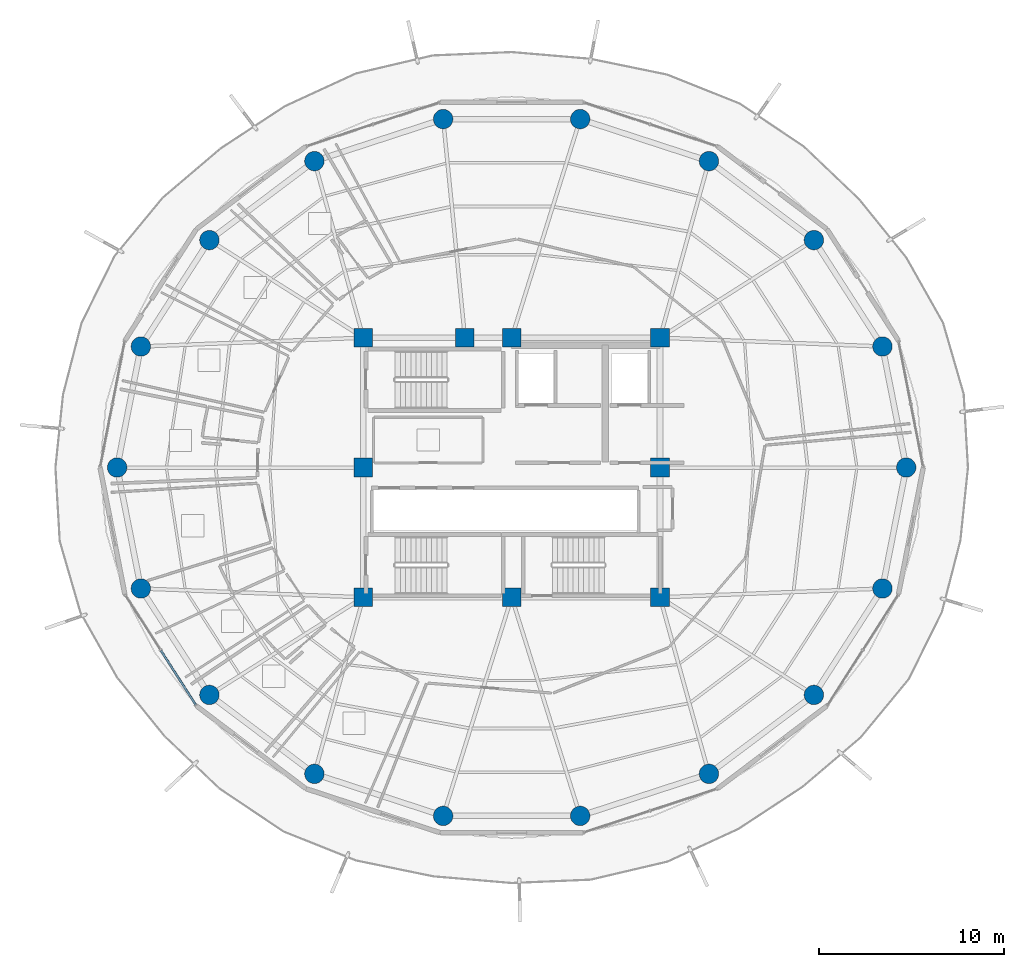
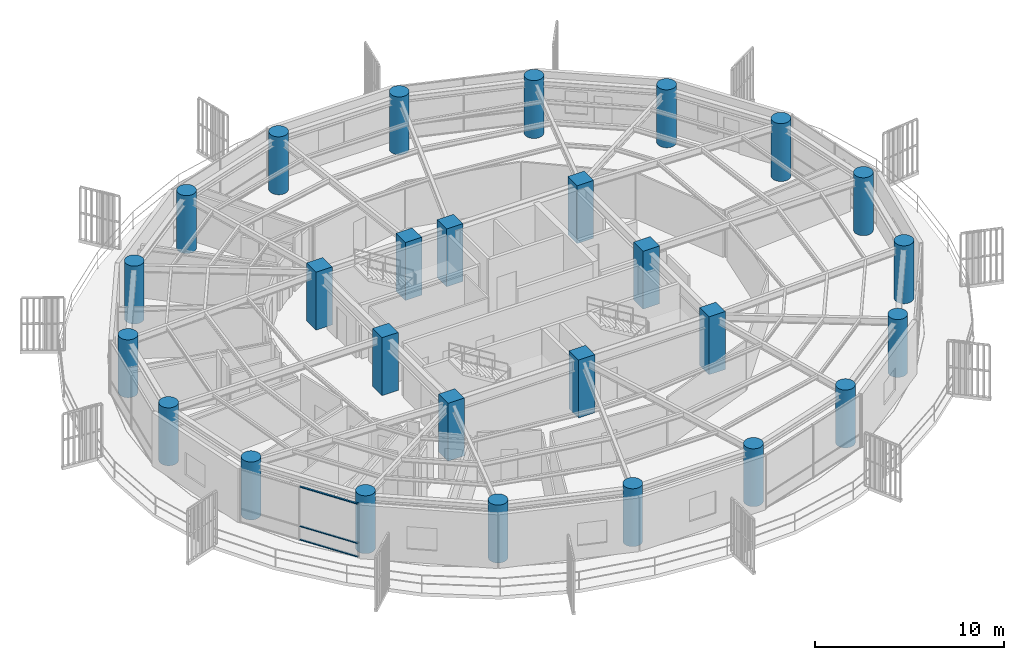
# One storey, part 1 of 30: 27 columns, 3 members, 1 element without a shape of its own.
"""IFC4 building model written with IfcOpenShell, lengths in metres."""

from ifc_helpers import new_model, si_unit, direction, frame, origin, origin_2d, place, context, subcontext, project, spatial, rectangle, hollow_rectangle, circle, extrude, material, layer, layer_set, material_profile, profile_set, type_object, element, aggregate, save


model = new_model("IFC4")

# Units and contexts
model_context = context("Model", 3, precision=1e-05, world=origin(), true_north=direction((0.0, 1.0)))
body_context = subcontext(model_context, "Body", "Model", "MODEL_VIEW")
ifc_project = project(units=[si_unit("LENGTHUNIT", "METRE"), si_unit("AREAUNIT", "SQUARE_METRE"), si_unit("VOLUMEUNIT", "CUBIC_METRE"), si_unit("PLANEANGLEUNIT", "RADIAN"), si_unit("MASSUNIT", "GRAM", prefix="KILO")], contexts=[model_context])

# Site, building, storey
site_placement = place(None, origin())
site = spatial("IfcSite", under=ifc_project, at=site_placement, CompositionType="ELEMENT")
building_placement = place(site_placement, origin())
building = spatial("IfcBuilding", under=site, at=building_placement, Name="Kelanora Arch Commons", CompositionType="ELEMENT")
storey_placement = place(building_placement, frame((0.0, 0.0, 234.449951171875)))
storey = spatial("IfcBuildingStorey", under=building, at=storey_placement, Name="L60", CompositionType="ELEMENT", Elevation=234.449951171875)

# Columns
ifc_material_1 = material(Name="Concrete C50/60", Category="concrete")
ifc_material_profile_1 = material_profile(ifc_material_1, circle(Radius=0.52490234375, at=origin_2d()), Name="RCC1050")
ifc_profile_set_1 = profile_set([ifc_material_profile_1], Name="Concrete C50/60")
column_type_1 = type_object("IfcColumnType", Name="COL-PERIM-Z4", PredefinedType="COLUMN", material=ifc_profile_set_1)
for number, where, z_axis, x_axis, name in (
    (1, (95.280029296875, 58.0, 0.0), (0.0, 0.0, 1.0), (1.0, 0.0, 0.0), "Perimeter Ring Column CP-00 L60"),
    (2, (93.99658203125, 64.525634765625, 0.0), (0.0, 0.0, 1.0), (1.0, 0.0, 0.0), "Perimeter Ring Column CP-02 L60"),
    (3, (90.301513671875, 70.264404296875, 0.0), (0.0, 0.0, 1.0), (1.0, 0.0, 0.0), "Perimeter Ring Column CP-04 L60"),
    (4, (84.639892578125, 74.523681640625, 0.0), (0.0, 0.0, 1.0), (1.0, 0.0, 0.0), "Perimeter Ring Column CP-06 L60"),
    (5, (77.6953125, 76.7900390625, 0.0), (0.0, 0.0, 1.0), (1.0, 0.0, 0.0), "Perimeter Ring Column CP-08 L60"),
    (6, (70.3046875, 76.7900390625, 0.0), (0.0, 0.0, 1.0), (1.0, 0.0, 0.0), "Perimeter Ring Column CP-10 L60"),
    (7, (63.360107421875, 74.523681640625, 0.0), (0.0, 0.0, 1.0), (1.0, 0.0, 0.0), "Perimeter Ring Column CP-12 L60"),
    (8, (57.698486328125, 70.264404296875, 0.0), (0.0, 0.0, 1.0), (1.0, 0.0, 0.0), "Perimeter Ring Column CP-14 L60"),
    (9, (54.00341796875, 64.525634765625, 0.0), (0.0, 0.0, 1.0), (1.0, 0.0, 0.0), "Perimeter Ring Column CP-16 L60"),
    (10, (52.719970703125, 58.0, 0.0), (0.0, 0.0, 1.0), (1.0, 0.0, 0.0), "Perimeter Ring Column CP-18 L60"),
    (11, (54.00341796875, 51.474365234375, 0.0), (0.0, 0.0, 1.0), (1.0, 0.0, 0.0), "Perimeter Ring Column CP-20 L60"),
    (12, (57.698486328125, 45.735595703125, 0.0), (0.0, 0.0, 1.0), (1.0, 0.0, 0.0), "Perimeter Ring Column CP-22 L60"),
    (13, (63.360107421875, 41.476318359375, 0.0), (0.0, 0.0, 1.0), (1.0, 0.0, 0.0), "Perimeter Ring Column CP-24 L60"),
    (14, (70.3046875, 39.2099609375, 0.0), (0.0, 0.0, 1.0), (1.0, 0.0, 0.0), "Perimeter Ring Column CP-26 L60"),
    (15, (77.6953125, 39.2099609375, 0.0), (0.0, 0.0, 1.0), (1.0, 0.0, 0.0), "Perimeter Ring Column CP-28 L60"),
    (16, (84.639892578125, 41.476318359375, 0.0), (0.0, 0.0, 1.0), (1.0, 0.0, 0.0), "Perimeter Ring Column CP-30 L60"),
    (17, (90.301513671875, 45.735595703125, 0.0), (0.0, 0.0, 1.0), (1.0, 0.0, 0.0), "Perimeter Ring Column CP-32 L60"),
    (18, (93.99658203125, 51.474365234375, 0.0), (0.0, 0.0, 1.0), (1.0, 0.0, 0.0), "Perimeter Ring Column CP-34 L60"),
):
    element("IfcColumn", number, at=place(storey_placement, frame(where, z_axis=z_axis, x_axis=x_axis)), inside=storey, type_object=column_type_1, Name=name, PredefinedType="COLUMN", context=body_context, shape_type="SweptSolid", body=[
        extrude(circle(Radius=0.52490234375, at=origin_2d()), origin(), (0.0, 0.0, 1.0), 3.75),
    ])
ifc_material_profile_2 = material_profile(ifc_material_1, rectangle(XDim=1.0, YDim=1.0, at=origin_2d()), Name="RC1000x1000")
ifc_profile_set_2 = profile_set([ifc_material_profile_2], Name="Concrete C50/60")
column_type_2 = type_object("IfcColumnType", Name="COL-PIL-HIGH", PredefinedType="PILASTER", material=ifc_profile_set_2)
for number, where, z_axis, x_axis, name in (
    (19, (66.0, 51.0, 0.0), (0.0, 0.0, 1.0), (1.0, 0.0, 0.0), "Core Pilaster Column CP1 L60"),
    (20, (74.0, 51.0, 0.0), (0.0, 0.0, 1.0), (1.0, 0.0, 0.0), "Core Pilaster Column CP2 L60"),
    (21, (82.0, 51.0, 0.0), (0.0, 0.0, 1.0), (1.0, 0.0, 0.0), "Core Pilaster Column CP3 L60"),
    (22, (82.0, 58.0, 0.0), (0.0, 0.0, 1.0), (1.0, 0.0, 0.0), "Core Pilaster Column CP4 L60"),
    (23, (82.0, 65.0, 0.0), (0.0, 0.0, 1.0), (1.0, 0.0, 0.0), "Core Pilaster Column CP5 L60"),
    (24, (74.0, 65.0, 0.0), (0.0, 0.0, 1.0), (1.0, 0.0, 0.0), "Core Pilaster Column CP6 L60"),
    (25, (71.47998046875, 65.0, 0.0), (0.0, 0.0, 1.0), (1.0, 0.0, 0.0), "Core Pilaster Column CP9 L60"),
    (26, (66.0, 65.0, 0.0), (0.0, 0.0, 1.0), (1.0, 0.0, 0.0), "Core Pilaster Column CP7 L60"),
    (27, (66.0, 58.0, 0.0), (0.0, 0.0, 1.0), (1.0, 0.0, 0.0), "Core Pilaster Column CP8 L60"),
):
    element("IfcColumn", number, at=place(storey_placement, frame(where, z_axis=z_axis, x_axis=x_axis)), inside=storey, type_object=column_type_2, Name=name, PredefinedType="PILASTER", context=body_context, shape_type="SweptSolid", body=[
        extrude(rectangle(XDim=1.0, YDim=1.0, at=origin_2d()), origin(), (0.0, 0.0, 1.0), 3.75),
    ])

# Curtain wall, members
ifc_material_2 = material(Name="Terracotta ceramic-fritted low-E glass and aluminium", Category="masonry")
ifc_layer = layer(ifc_material_2, 0.175048828125)
ifc_layer_set = layer_set([ifc_layer], Name="Terracotta ceramic-fritted low-E glass and aluminium")
curtain_wall_type = type_object("IfcCurtainWallType", Name="CW-SYS-02", PredefinedType="NOTDEFINED", material=ifc_layer_set)
curtain_wall_placement = place(storey_placement, origin())
curtain_wall = element("IfcCurtainWall", 28, at=curtain_wall_placement, inside=storey, type_object=curtain_wall_type, Name="Unitised Curtain Wall L60-B10", PredefinedType="NOTDEFINED")
ifc_material_3 = material(Name="Powder-coated aluminium terracotta", Category="masonry")
ifc_material_profile_3 = material_profile(ifc_material_3, hollow_rectangle(XDim=0.1201171875, YDim=0.06005859375, WallThickness=0.0048828125, InnerFilletRadius=0.0048828125, OuterFilletRadius=0.010009765625, at=origin_2d()), Name="CWT120x60")
ifc_profile_set_3 = profile_set([ifc_material_profile_3], Name="Powder-coated aluminium terracotta")
member_type = type_object("IfcMemberType", Name="CWT-STD", PredefinedType="USERDEFINED", material=ifc_profile_set_3)
member_1_placement = place(storey_placement, frame((55.08251953125, 48.126708984375, 0.030029296875), z_axis=(0.53954710894, -0.841955412854, 0.0), x_axis=(0.841955412854, 0.53954710894, 0.0)))
member_1 = element("IfcMember", 29, at=member_1_placement, type_object=member_type, Name="CW-02 transom 2.1", ObjectType="TRANSOM", PredefinedType="USERDEFINED", context=body_context, shape_type="SweptSolid", body=[
    extrude(hollow_rectangle(XDim=0.1201171875, YDim=0.06005859375, WallThickness=0.0048828125, InnerFilletRadius=0.0048828125, OuterFilletRadius=0.010009765625, at=origin_2d()), origin(), (0.0, 0.0, 1.0), 3.467529296875),
])
member_2_placement = place(storey_placement, frame((55.08251953125, 48.126708984375, 0.900146484375), z_axis=(0.53954710894, -0.841955412854, 0.0), x_axis=(0.841955412854, 0.53954710894, 0.0)))
member_2 = element("IfcMember", 30, at=member_2_placement, type_object=member_type, Name="CW-02 transom 2.2", ObjectType="TRANSOM", PredefinedType="USERDEFINED", context=body_context, shape_type="SweptSolid", body=[
    extrude(hollow_rectangle(XDim=0.1201171875, YDim=0.06005859375, WallThickness=0.0048828125, InnerFilletRadius=0.0048828125, OuterFilletRadius=0.010009765625, at=origin_2d()), origin(), (0.0, 0.0, 1.0), 3.467529296875),
])
member_3_placement = place(storey_placement, frame((55.08251953125, 48.126708984375, 3.445068359375), z_axis=(0.53954710894, -0.841955412854, 0.0), x_axis=(0.841955412854, 0.53954710894, 0.0)))
member_3 = element("IfcMember", 31, at=member_3_placement, type_object=member_type, Name="CW-02 transom 2.3", ObjectType="TRANSOM", PredefinedType="USERDEFINED", context=body_context, shape_type="SweptSolid", body=[
    extrude(hollow_rectangle(XDim=0.1201171875, YDim=0.06005859375, WallThickness=0.0048828125, InnerFilletRadius=0.0048828125, OuterFilletRadius=0.010009765625, at=origin_2d()), origin(), (0.0, 0.0, 1.0), 3.467529296875),
])
aggregate(curtain_wall, [member_1, member_2, member_3])

save(model, "model.ifc")
